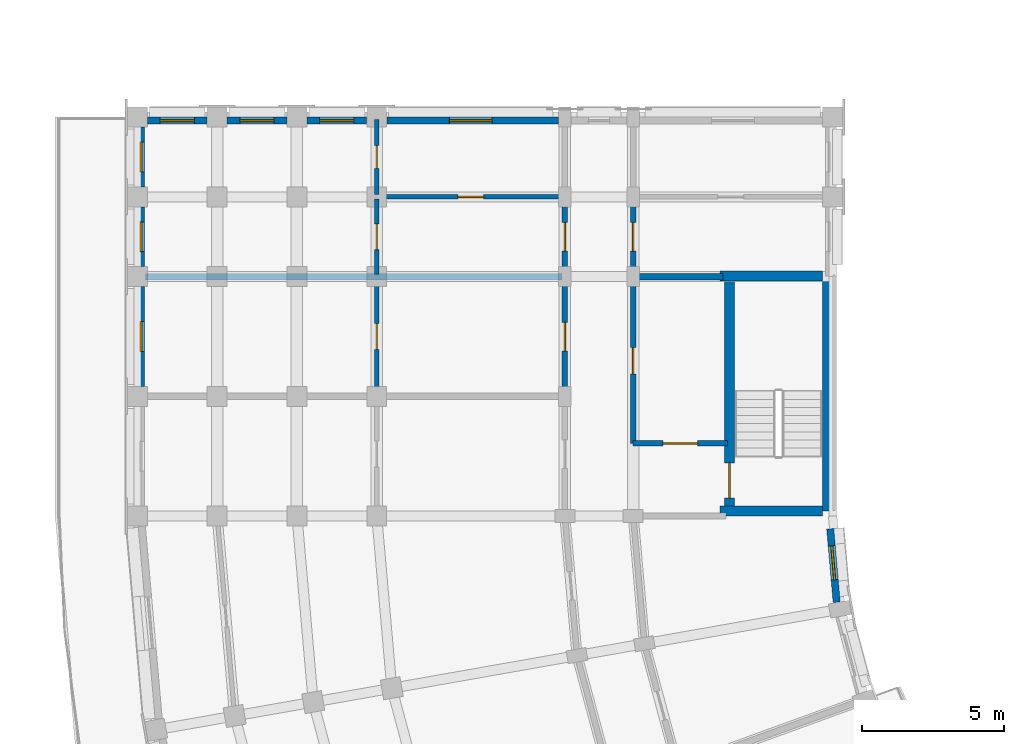
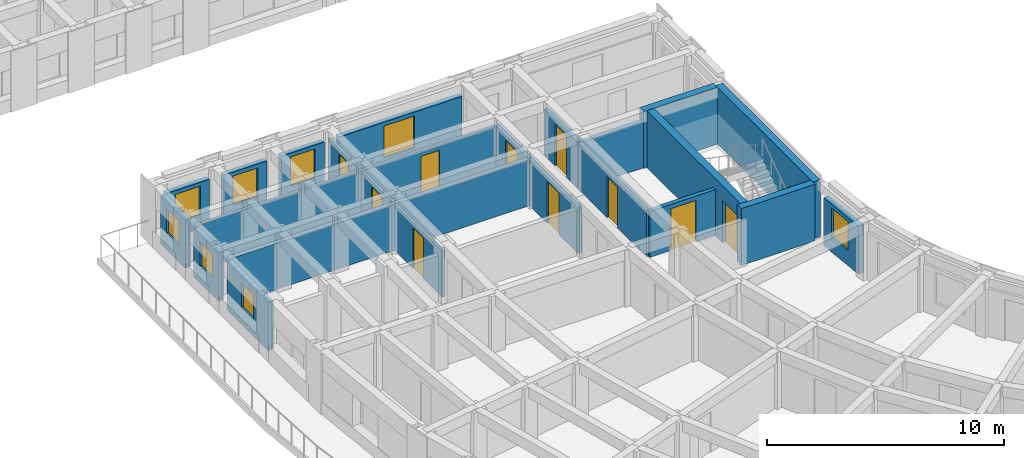
# One storey, part 21 of 57: 23 walls, 10 doors, 8 windows, 18 openings.
"""IFC4 building model written with IfcOpenShell, lengths in metres."""

from ifc_helpers import new_model, si_unit, direction, frame, frame_2d, origin, place, context, subcontext, project, spatial, rectangle, extrude, material, layer, layer_set, type_object, element, fill, save


model = new_model("IFC4")

# Units and contexts
model_context = context("Model", 3, precision=1e-05, world=origin(), true_north=direction((0.0, 1.0)))
body_context = subcontext(model_context, "Body", "Model", "MODEL_VIEW")
ifc_project = project(units=[si_unit("LENGTHUNIT", "METRE"), si_unit("AREAUNIT", "SQUARE_METRE"), si_unit("VOLUMEUNIT", "CUBIC_METRE"), si_unit("PLANEANGLEUNIT", "RADIAN"), si_unit("MASSUNIT", "GRAM", prefix="KILO")], contexts=[model_context])

# Site, building, storey
site_placement = place(None, origin())
site = spatial("IfcSite", under=ifc_project, at=site_placement, CompositionType="ELEMENT")
building_placement = place(site_placement, origin())
building = spatial("IfcBuilding", under=site, at=building_placement, Name="Kiranvali Square Residences", CompositionType="ELEMENT")
storey_placement = place(building_placement, frame((0.0, 0.0, 21.300048828125)))
storey = spatial("IfcBuildingStorey", under=building, at=storey_placement, Name="L06", CompositionType="ELEMENT", Elevation=21.300048828125)

# Wall, opening, door
ifc_material_1 = material(Name="Autoclaved aerated concrete blockwork masonry", Category="masonry")
ifc_layer_1 = layer(ifc_material_1, 0.199951171875)
ifc_layer_set_1 = layer_set([ifc_layer_1], Name="Autoclaved aerated concrete blockwork masonry")
wall_type_1 = type_object("IfcWallType", Name="WL-COR-200", PredefinedType="STANDARD", material=ifc_layer_set_1)
wall_1_placement = place(storey_placement, frame((25.699951171875, 50.75, 0.0), z_axis=(0.0, 0.0, 1.0), x_axis=(-1.0, 0.0, 0.0)))
wall_1 = element("IfcWall", 1, at=wall_1_placement, inside=storey, type_object=wall_type_1, Name="L06 architectural wall WL-L06-C-S3-V", PredefinedType="STANDARD", context=body_context, shape_type="SweptSolid", body=[
    extrude(rectangle(XDim=3.300048828125, YDim=0.199951171875, at=frame_2d((1.64990234375, 0.0))), origin(), (0.0, 0.0, 1.0), 2.3720703125),
])
opening_1_placement = place(wall_1_placement, frame((1.0400390625, 0.0, 0.0)))
opening_1 = element("IfcOpeningElement", 2, at=opening_1_placement, cuts=wall_1, Name="Opening FD-COR-60", PredefinedType="OPENING", context=body_context, shape_type="SweptSolid", body=[
    extrude(rectangle(XDim=1.219970703125, YDim=2.14990234375, at=frame_2d((0.60986328125, 1.074951171875))), frame((0.0, 0.10986328125, 0.0), z_axis=(0.0, -1.0, 0.0), x_axis=(1.0, 0.0, 0.0)), (0.0, 0.0, 1.0), 0.219970703125),
])
ifc_material_2 = material(Name="Fire-rated acoustic hardwood and mineral-core door assembly", Category="wood")
door_type_1 = type_object("IfcDoorType", Name="DR-FD60-1200", OperationType="NOTDEFINED", PredefinedType="DOOR", material=ifc_material_2)
door_1_placement = place(opening_1_placement, origin())
door_1 = element("IfcDoor", 3, at=door_1_placement, inside=storey, type_object=door_type_1, Name="L06 door DR-L06-2093 (DR-FD60-1200)", OperationType="SINGLE_SWING_LEFT", OverallHeight=2.14990234375, OverallWidth=1.219970703125, PredefinedType="DOOR", context=body_context, shape_type="SweptSolid", body=[
    extrude(rectangle(XDim=1.219970703125, YDim=2.14990234375, at=frame_2d((0.60986328125, 1.074951171875))), frame((0.0, 0.02490234375, 0.0), z_axis=(0.0, -1.0, 0.0), x_axis=(1.0, 0.0, 0.0)), (0.0, 0.0, 1.0), 0.050048828125),
])
fill(opening_1, door_1)

wall_2_placement = place(storey_placement, frame((22.39990234375, 50.75, 0.0), z_axis=(0.0, 0.0, 1.0), x_axis=(0.0, 1.0, 0.0)))
wall_2 = element("IfcWall", 4, at=wall_2_placement, inside=storey, type_object=wall_type_1, Name="L06 architectural wall WL-L06-C-S3-COR", PredefinedType="STANDARD", context=body_context, shape_type="SweptSolid", body=[
    extrude(rectangle(XDim=5.800048828125, YDim=0.199951171875, at=frame_2d((2.89990234375, 0.0))), origin(), (0.0, 0.0, 1.0), 2.3720703125),
])
opening_2_placement = place(wall_2_placement, frame((2.43994140625, 0.0, 0.0)))
opening_2 = element("IfcOpeningElement", 5, at=opening_2_placement, cuts=wall_2, Name="Opening FD-SVC-120", PredefinedType="OPENING", context=body_context, shape_type="SweptSolid", body=[
    extrude(rectangle(XDim=0.919921875, YDim=2.10009765625, at=frame_2d((0.4599609375, 1.050048828125))), frame((0.0, 0.10986328125, 0.0), z_axis=(0.0, -1.0, 0.0), x_axis=(1.0, 0.0, 0.0)), (0.0, 0.0, 1.0), 0.219970703125),
])
door_type_2 = type_object("IfcDoorType", Name="DR-SVC-900", OperationType="NOTDEFINED", PredefinedType="DOOR", material=ifc_material_2)
door_2_placement = place(opening_2_placement, frame((0.919921875, 0.0, 0.0), z_axis=(0.0, 0.0, 1.0), x_axis=(-1.0, 0.0, 0.0)))
door_2 = element("IfcDoor", 6, at=door_2_placement, inside=storey, type_object=door_type_2, Name="L06 door DR-L06-2094 (DR-SVC-900)", OperationType="SINGLE_SWING_RIGHT", OverallHeight=2.10009765625, OverallWidth=0.919921875, PredefinedType="DOOR", context=body_context, shape_type="SweptSolid", body=[
    extrude(rectangle(XDim=0.919921875, YDim=2.10009765625, at=frame_2d((0.4599609375, 1.050048828125))), frame((0.0, 0.02490234375, 0.0), z_axis=(0.0, -1.0, 0.0), x_axis=(1.0, 0.0, 0.0)), (0.0, 0.0, 1.0), 0.050048828125),
])
fill(opening_2, door_2)

wall_3_placement = place(storey_placement, frame((20.0, 52.39990234375, 0.0), z_axis=(0.0, 0.0, 1.0), x_axis=(0.0, 1.0, 0.0)))
wall_3 = element("IfcWall", 7, at=wall_3_placement, inside=storey, type_object=wall_type_1, Name="L06 architectural wall WL-L06-C-A2CF-C1", PredefinedType="STANDARD", context=body_context, shape_type="SweptSolid", body=[
    extrude(rectangle(XDim=4.2001953125, YDim=0.199951171875, at=frame_2d((2.10009765625, 0.0))), origin(), (0.0, 0.0, 1.0), 2.3720703125),
])
opening_3_placement = place(wall_3_placement, frame((1.60009765625, 0.0, 0.0)))
opening_3 = element("IfcOpeningElement", 8, at=opening_3_placement, cuts=wall_3, Name="Opening FD-APT-60", PredefinedType="OPENING", context=body_context, shape_type="SweptSolid", body=[
    extrude(rectangle(XDim=1.0, YDim=2.14990234375, at=frame_2d((0.5, 1.074951171875))), frame((0.0, 0.10986328125, 0.0), z_axis=(0.0, -1.0, 0.0), x_axis=(1.0, 0.0, 0.0)), (0.0, 0.0, 1.0), 0.219970703125),
])
door_type_3 = type_object("IfcDoorType", Name="DR-APT-1000", OperationType="NOTDEFINED", PredefinedType="DOOR", material=ifc_material_2)
door_3_placement = place(opening_3_placement, frame((1.0, 0.0, 0.0), z_axis=(0.0, 0.0, 1.0), x_axis=(-1.0, 0.0, 0.0)))
door_3 = element("IfcDoor", 9, at=door_3_placement, inside=storey, type_object=door_type_3, Name="L06 door DR-L06-2132 (DR-APT-1000)", OperationType="SINGLE_SWING_RIGHT", OverallHeight=2.14990234375, OverallWidth=1.0, PredefinedType="DOOR", context=body_context, shape_type="SweptSolid", body=[
    extrude(rectangle(XDim=1.0, YDim=2.14990234375, at=frame_2d((0.5, 1.074951171875))), frame((0.0, 0.02490234375, 0.0), z_axis=(0.0, -1.0, 0.0), x_axis=(1.0, 0.0, 0.0)), (0.0, 0.0, 1.0), 0.050048828125),
])
fill(opening_3, door_3)

wall_4_placement = place(storey_placement, frame((22.39990234375, 56.60009765625, 0.0), z_axis=(0.0, 0.0, 1.0), x_axis=(0.0, 1.0, 0.0)))
wall_4 = element("IfcWall", 10, at=wall_4_placement, inside=storey, type_object=wall_type_1, Name="L06 architectural wall WL-L06-C-A2CI-0", PredefinedType="STANDARD", context=body_context, shape_type="SweptSolid", body=[
    extrude(rectangle(XDim=2.7998046875, YDim=0.199951171875, at=frame_2d((1.39990234375, 0.0))), origin(), (0.0, 0.0, 1.0), 2.3720703125),
])
opening_4_placement = place(wall_4_placement, frame((0.89990234375, 0.0, 0.0)))
opening_4 = element("IfcOpeningElement", 11, at=opening_4_placement, cuts=wall_4, Name="Opening FD-APT-60", PredefinedType="OPENING", context=body_context, shape_type="SweptSolid", body=[
    extrude(rectangle(XDim=1.0, YDim=2.14990234375, at=frame_2d((0.5, 1.074951171875))), frame((0.0, 0.10986328125, 0.0), z_axis=(0.0, -1.0, 0.0), x_axis=(1.0, 0.0, 0.0)), (0.0, 0.0, 1.0), 0.219970703125),
])
door_4_placement = place(opening_4_placement, frame((1.0, 0.0, 0.0), z_axis=(0.0, 0.0, 1.0), x_axis=(-1.0, 0.0, 0.0)))
door_4 = element("IfcDoor", 12, at=door_4_placement, inside=storey, type_object=door_type_3, Name="L06 door DR-L06-2134 (DR-APT-1000)", OperationType="SINGLE_SWING_RIGHT", OverallHeight=2.14990234375, OverallWidth=1.0, PredefinedType="DOOR", context=body_context, shape_type="SweptSolid", body=[
    extrude(rectangle(XDim=1.0, YDim=2.14990234375, at=frame_2d((0.5, 1.074951171875))), frame((0.0, 0.02490234375, 0.0), z_axis=(0.0, -1.0, 0.0), x_axis=(1.0, 0.0, 0.0)), (0.0, 0.0, 1.0), 0.050048828125),
])
fill(opening_4, door_4)

wall_5_placement = place(storey_placement, frame((20.0, 56.60009765625, 0.0), z_axis=(0.0, 0.0, 1.0), x_axis=(0.0, 1.0, 0.0)))
wall_5 = element("IfcWall", 13, at=wall_5_placement, inside=storey, type_object=wall_type_1, Name="L06 architectural wall WL-L06-C-A2CO-0", PredefinedType="STANDARD", context=body_context, shape_type="SweptSolid", body=[
    extrude(rectangle(XDim=2.7998046875, YDim=0.199951171875, at=frame_2d((1.39990234375, 0.0))), origin(), (0.0, 0.0, 1.0), 2.3720703125),
])
opening_5_placement = place(wall_5_placement, frame((0.89990234375, 0.0, 0.0)))
opening_5 = element("IfcOpeningElement", 14, at=opening_5_placement, cuts=wall_5, Name="Opening FD-APT-60", PredefinedType="OPENING", context=body_context, shape_type="SweptSolid", body=[
    extrude(rectangle(XDim=1.0, YDim=2.14990234375, at=frame_2d((0.5, 1.074951171875))), frame((0.0, 0.10986328125, 0.0), z_axis=(0.0, -1.0, 0.0), x_axis=(1.0, 0.0, 0.0)), (0.0, 0.0, 1.0), 0.219970703125),
])
door_5_placement = place(opening_5_placement, frame((1.0, 0.0, 0.0), z_axis=(0.0, 0.0, 1.0), x_axis=(-1.0, 0.0, 0.0)))
door_5 = element("IfcDoor", 15, at=door_5_placement, inside=storey, type_object=door_type_3, Name="L06 door DR-L06-2136 (DR-APT-1000)", OperationType="SINGLE_SWING_RIGHT", OverallHeight=2.14990234375, OverallWidth=1.0, PredefinedType="DOOR", context=body_context, shape_type="SweptSolid", body=[
    extrude(rectangle(XDim=1.0, YDim=2.14990234375, at=frame_2d((0.5, 1.074951171875))), frame((0.0, 0.02490234375, 0.0), z_axis=(0.0, -1.0, 0.0), x_axis=(1.0, 0.0, 0.0)), (0.0, 0.0, 1.0), 0.050048828125),
])
fill(opening_5, door_5)

# Walls
ifc_layer_2 = layer(ifc_material_1, 0.219970703125)
ifc_layer_set_2 = layer_set([ifc_layer_2], Name="Autoclaved aerated concrete blockwork masonry")
wall_type_2 = type_object("IfcWallType", Name="WL-DEM-220", PredefinedType="STANDARD", material=ifc_layer_set_2)
wall_6_placement = place(storey_placement, frame((25.550048828125, 56.60009765625, 0.0), z_axis=(0.0, 0.0, 1.0), x_axis=(-1.0, 0.0, 0.0)))
element("IfcWall", 16, at=wall_6_placement, inside=storey, type_object=wall_type_2, Name="L06 architectural wall WL-L06-C-A2TI-0", PredefinedType="STANDARD", context=body_context, shape_type="SweptSolid", body=[
    extrude(rectangle(XDim=3.10009765625, YDim=0.219970703125, at=frame_2d((1.550048828125, 0.0))), origin(), (0.0, 0.0, 1.0), 2.3720703125),
])
wall_7_placement = place(storey_placement, frame((19.89990234375, 56.60009765625, 0.0), z_axis=(0.0, 0.0, 1.0), x_axis=(-1.0, 0.0, 0.0)))
element("IfcWall", 17, at=wall_7_placement, inside=storey, type_object=wall_type_2, Name="L06 architectural wall WL-L06-C-A2TO-0", PredefinedType="STANDARD", context=body_context, shape_type="SweptSolid", body=[
    extrude(rectangle(XDim=14.619873046875, YDim=0.219970703125, at=frame_2d((7.31005859375, 0.0))), origin(), (0.0, 0.0, 1.0), 2.3720703125),
])

# Wall, opening, window
ifc_material_3 = material(Name="Breathable lime-rendered clay brick masonry", Category="masonry")
ifc_layer_3 = layer(ifc_material_3, 0.25)
ifc_layer_set_3 = layer_set([ifc_layer_3], Name="Breathable lime-rendered clay brick masonry")
wall_type_3 = type_object("IfcWallType", Name="WL-EXT-250", PredefinedType="STANDARD", material=ifc_layer_set_3)
wall_8_placement = place(storey_placement, frame((29.5390625, 45.17724609375, 0.0), z_axis=(0.0, 0.0, 1.0), x_axis=(-0.087229084652, 0.996188278786, 0.0)))
wall_8 = element("IfcWall", 18, at=wall_8_placement, inside=storey, type_object=wall_type_3, Name="L06 exterior wall C-L06-GDN-08", PredefinedType="STANDARD", context=body_context, shape_type="SweptSolid", body=[
    extrude(rectangle(XDim=2.583251953125, YDim=0.25, at=frame_2d((1.29150390625, 0.0))), origin(), (0.0, 0.0, 1.0), 2.471923828125),
])
opening_6_placement = place(wall_8_placement, frame((0.784912109375, 0.0, 0.77197265625)))
opening_6 = element("IfcOpeningElement", 19, at=opening_6_placement, cuts=wall_8, Name="Opening W-06", PredefinedType="OPENING", context=body_context, shape_type="SweptSolid", body=[
    extrude(rectangle(XDim=1.199951171875, YDim=1.5, at=frame_2d((0.60009765625, 0.75))), frame((0.0, 0.135009765625, 0.0), z_axis=(0.0, -1.0, 0.0), x_axis=(1.0, 0.0, 0.0)), (0.0, 0.0, 1.0), 0.27001953125),
])
ifc_material_4 = material(Name="Solar-control low-e double glazing", Category="glass")
window_type_1 = type_object("IfcWindowType", Name="WIN-RES-1200x1500", PartitioningType="SINGLE_PANEL", PredefinedType="WINDOW", material=ifc_material_4)
window_1_placement = place(opening_6_placement, origin())
window_1 = element("IfcWindow", 20, at=window_1_placement, inside=storey, type_object=window_type_1, Name="L06 recessed window C-L06-GDN-08", OverallHeight=1.5, OverallWidth=1.199951171875, PartitioningType="SINGLE_PANEL", PredefinedType="WINDOW", context=body_context, shape_type="SweptSolid", body=[
    extrude(rectangle(XDim=1.199951171875, YDim=1.5, at=frame_2d((0.60009765625, 0.75))), frame((0.0, 0.030029296875, 0.0), z_axis=(0.0, -1.0, 0.0), x_axis=(1.0, 0.0, 0.0)), (0.0, 0.0, 1.0), 0.06005859375),
])
fill(opening_6, window_1)

wall_9_placement = place(storey_placement, frame((5.125, 52.75341796875, 0.0), z_axis=(0.0, 0.0, 1.0), x_axis=(0.0, 1.0, 0.0)))
wall_9 = element("IfcWall", 21, at=wall_9_placement, inside=storey, type_object=wall_type_3, Name="L06 exterior wall C-L06-A2O-1", PredefinedType="STANDARD", context=body_context, shape_type="SweptSolid", body=[
    extrude(rectangle(XDim=3.4931640625, YDim=0.25, at=frame_2d((1.74658203125, 0.0))), origin(), (0.0, 0.0, 1.0), 2.47998046875),
])
opening_7_placement = place(wall_9_placement, frame((1.221435546875, 0.0, 0.8798828125)))
opening_7 = element("IfcOpeningElement", 22, at=opening_7_placement, cuts=wall_9, Name="Opening W-24", PredefinedType="OPENING", context=body_context, shape_type="SweptSolid", body=[
    extrude(rectangle(XDim=1.050048828125, YDim=1.25, at=frame_2d((0.52490234375, 0.625))), frame((0.0, 0.135009765625, 0.0), z_axis=(0.0, -1.0, 0.0), x_axis=(1.0, 0.0, 0.0)), (0.0, 0.0, 1.0), 0.27001953125),
])
window_type_2 = type_object("IfcWindowType", Name="WIN-COR-1050x1250", PartitioningType="SINGLE_PANEL", PredefinedType="WINDOW", material=ifc_material_4)
window_2_placement = place(opening_7_placement, origin())
window_2 = element("IfcWindow", 23, at=window_2_placement, inside=storey, type_object=window_type_2, Name="L06 recessed window C-L06-A2O-1", OverallHeight=1.25, OverallWidth=1.050048828125, PartitioningType="SINGLE_PANEL", PredefinedType="WINDOW", context=body_context, shape_type="SweptSolid", body=[
    extrude(rectangle(XDim=1.050048828125, YDim=1.25, at=frame_2d((0.52490234375, 0.625))), frame((0.0, 0.030029296875, 0.0), z_axis=(0.0, -1.0, 0.0), x_axis=(1.0, 0.0, 0.0)), (0.0, 0.0, 1.0), 0.06005859375),
])
fill(opening_7, window_2)

wall_10_placement = place(storey_placement, frame((5.125, 56.95361328125, 0.0), z_axis=(0.0, 0.0, 1.0), x_axis=(0.0, 1.0, 0.0)))
wall_10 = element("IfcWall", 24, at=wall_10_placement, inside=storey, type_object=wall_type_3, Name="L06 exterior wall C-L06-A2O-2", PredefinedType="STANDARD", context=body_context, shape_type="SweptSolid", body=[
    extrude(rectangle(XDim=2.0927734375, YDim=0.25, at=frame_2d((1.04638671875, 0.0))), origin(), (0.0, 0.0, 1.0), 2.47998046875),
])
opening_8_placement = place(wall_10_placement, frame((0.521484375, 0.0, 0.8798828125)))
opening_8 = element("IfcOpeningElement", 25, at=opening_8_placement, cuts=wall_10, Name="Opening W-24", PredefinedType="OPENING", context=body_context, shape_type="SweptSolid", body=[
    extrude(rectangle(XDim=1.050048828125, YDim=1.25, at=frame_2d((0.52490234375, 0.625))), frame((0.0, 0.135009765625, 0.0), z_axis=(0.0, -1.0, 0.0), x_axis=(1.0, 0.0, 0.0)), (0.0, 0.0, 1.0), 0.27001953125),
])
window_3_placement = place(opening_8_placement, origin())
window_3 = element("IfcWindow", 26, at=window_3_placement, inside=storey, type_object=window_type_2, Name="L06 recessed window C-L06-A2O-2", OverallHeight=1.25, OverallWidth=1.050048828125, PartitioningType="SINGLE_PANEL", PredefinedType="WINDOW", context=body_context, shape_type="SweptSolid", body=[
    extrude(rectangle(XDim=1.050048828125, YDim=1.25, at=frame_2d((0.52490234375, 0.625))), frame((0.0, 0.030029296875, 0.0), z_axis=(0.0, -1.0, 0.0), x_axis=(1.0, 0.0, 0.0)), (0.0, 0.0, 1.0), 0.06005859375),
])
fill(opening_8, window_3)

wall_11_placement = place(storey_placement, frame((5.125, 59.75341796875, 0.0), z_axis=(0.0, 0.0, 1.0), x_axis=(0.0, 1.0, 0.0)))
wall_11 = element("IfcWall", 27, at=wall_11_placement, inside=storey, type_object=wall_type_3, Name="L06 exterior wall C-L06-A2O-3", PredefinedType="STANDARD", context=body_context, shape_type="SweptSolid", body=[
    extrude(rectangle(XDim=2.093017578125, YDim=0.25, at=frame_2d((1.04638671875, 0.0))), origin(), (0.0, 0.0, 1.0), 2.47998046875),
])
opening_9_placement = place(wall_11_placement, frame((0.521484375, 0.0, 0.8798828125)))
opening_9 = element("IfcOpeningElement", 28, at=opening_9_placement, cuts=wall_11, Name="Opening W-24", PredefinedType="OPENING", context=body_context, shape_type="SweptSolid", body=[
    extrude(rectangle(XDim=1.050048828125, YDim=1.25, at=frame_2d((0.52490234375, 0.625))), frame((0.0, 0.135009765625, 0.0), z_axis=(0.0, -1.0, 0.0), x_axis=(1.0, 0.0, 0.0)), (0.0, 0.0, 1.0), 0.27001953125),
])
window_4_placement = place(opening_9_placement, origin())
window_4 = element("IfcWindow", 29, at=window_4_placement, inside=storey, type_object=window_type_2, Name="L06 recessed window C-L06-A2O-3", OverallHeight=1.25, OverallWidth=1.050048828125, PartitioningType="SINGLE_PANEL", PredefinedType="WINDOW", context=body_context, shape_type="SweptSolid", body=[
    extrude(rectangle(XDim=1.050048828125, YDim=1.25, at=frame_2d((0.52490234375, 0.625))), frame((0.0, 0.030029296875, 0.0), z_axis=(0.0, -1.0, 0.0), x_axis=(1.0, 0.0, 0.0)), (0.0, 0.0, 1.0), 0.06005859375),
])
fill(opening_9, window_4)

wall_12_placement = place(storey_placement, frame((19.771484375, 62.074951171875, 0.0), z_axis=(0.0, 0.0, 1.0), x_axis=(-1.0, 0.0, 0.0)))
wall_12 = element("IfcWall", 30, at=wall_12_placement, inside=storey, type_object=wall_type_3, Name="L06 exterior wall C-L06-A2END-2", PredefinedType="STANDARD", context=body_context, shape_type="SweptSolid", body=[
    extrude(rectangle(XDim=6.01806640625, YDim=0.25, at=frame_2d((3.009033203125, 0.0))), origin(), (0.0, 0.0, 1.0), 2.3720703125),
])
opening_10_placement = place(wall_12_placement, frame((2.321533203125, 0.0, 0.52197265625)))
opening_10 = element("IfcOpeningElement", 31, at=opening_10_placement, cuts=wall_12, Name="Opening W-05", PredefinedType="OPENING", context=body_context, shape_type="SweptSolid", body=[
    extrude(rectangle(XDim=1.5, YDim=1.64990234375, at=frame_2d((0.75, 0.824951171875))), frame((0.0, 0.135009765625, 0.0), z_axis=(0.0, -1.0, 0.0), x_axis=(1.0, 0.0, 0.0)), (0.0, 0.0, 1.0), 0.27001953125),
])
window_type_3 = type_object("IfcWindowType", Name="WIN-RES-1500x1650", PartitioningType="DOUBLE_PANEL_VERTICAL", PredefinedType="WINDOW", material=ifc_material_4)
window_5_placement = place(opening_10_placement, origin())
window_5 = element("IfcWindow", 32, at=window_5_placement, inside=storey, type_object=window_type_3, Name="L06 recessed window C-L06-A2END-2", OverallHeight=1.64990234375, OverallWidth=1.5, PartitioningType="DOUBLE_PANEL_VERTICAL", PredefinedType="WINDOW", context=body_context, shape_type="SweptSolid", body=[
    extrude(rectangle(XDim=1.5, YDim=1.64990234375, at=frame_2d((0.75, 0.824951171875))), frame((0.0, 0.030029296875, 0.0), z_axis=(0.0, -1.0, 0.0), x_axis=(1.0, 0.0, 0.0)), (0.0, 0.0, 1.0), 0.06005859375),
])
fill(opening_10, window_5)

wall_13_placement = place(storey_placement, frame((13.04638671875, 62.074951171875, 0.0), z_axis=(0.0, 0.0, 1.0), x_axis=(-1.0, 0.0, 0.0)))
wall_13 = element("IfcWall", 33, at=wall_13_placement, inside=storey, type_object=wall_type_3, Name="L06 exterior wall C-L06-A2END-3", PredefinedType="STANDARD", context=body_context, shape_type="SweptSolid", body=[
    extrude(rectangle(XDim=2.0927734375, YDim=0.25, at=frame_2d((1.04638671875, 0.0))), origin(), (0.0, 0.0, 1.0), 2.3720703125),
])
opening_11_placement = place(wall_13_placement, frame((0.446533203125, 0.0, 0.672119140625)))
opening_11 = element("IfcOpeningElement", 34, at=opening_11_placement, cuts=wall_13, Name="Opening W-06", PredefinedType="OPENING", context=body_context, shape_type="SweptSolid", body=[
    extrude(rectangle(XDim=1.199951171875, YDim=1.5, at=frame_2d((0.60009765625, 0.75))), frame((0.0, 0.135009765625, 0.0), z_axis=(0.0, -1.0, 0.0), x_axis=(1.0, 0.0, 0.0)), (0.0, 0.0, 1.0), 0.27001953125),
])
window_6_placement = place(opening_11_placement, origin())
window_6 = element("IfcWindow", 35, at=window_6_placement, inside=storey, type_object=window_type_1, Name="L06 recessed window C-L06-A2END-3", OverallHeight=1.5, OverallWidth=1.199951171875, PartitioningType="SINGLE_PANEL", PredefinedType="WINDOW", context=body_context, shape_type="SweptSolid", body=[
    extrude(rectangle(XDim=1.199951171875, YDim=1.5, at=frame_2d((0.60009765625, 0.75))), frame((0.0, 0.030029296875, 0.0), z_axis=(0.0, -1.0, 0.0), x_axis=(1.0, 0.0, 0.0)), (0.0, 0.0, 1.0), 0.06005859375),
])
fill(opening_11, window_6)

wall_14_placement = place(storey_placement, frame((10.24658203125, 62.074951171875, 0.0), z_axis=(0.0, 0.0, 1.0), x_axis=(-1.0, 0.0, 0.0)))
wall_14 = element("IfcWall", 36, at=wall_14_placement, inside=storey, type_object=wall_type_3, Name="L06 exterior wall C-L06-A2END-4", PredefinedType="STANDARD", context=body_context, shape_type="SweptSolid", body=[
    extrude(rectangle(XDim=2.093017578125, YDim=0.25, at=frame_2d((1.04638671875, 0.0))), origin(), (0.0, 0.0, 1.0), 2.3720703125),
])
opening_12_placement = place(wall_14_placement, frame((0.446533203125, 0.0, 0.672119140625)))
opening_12 = element("IfcOpeningElement", 37, at=opening_12_placement, cuts=wall_14, Name="Opening W-06", PredefinedType="OPENING", context=body_context, shape_type="SweptSolid", body=[
    extrude(rectangle(XDim=1.199951171875, YDim=1.5, at=frame_2d((0.60009765625, 0.75))), frame((0.0, 0.135009765625, 0.0), z_axis=(0.0, -1.0, 0.0), x_axis=(1.0, 0.0, 0.0)), (0.0, 0.0, 1.0), 0.27001953125),
])
window_7_placement = place(opening_12_placement, origin())
window_7 = element("IfcWindow", 38, at=window_7_placement, inside=storey, type_object=window_type_1, Name="L06 recessed window C-L06-A2END-4", OverallHeight=1.5, OverallWidth=1.199951171875, PartitioningType="SINGLE_PANEL", PredefinedType="WINDOW", context=body_context, shape_type="SweptSolid", body=[
    extrude(rectangle(XDim=1.199951171875, YDim=1.5, at=frame_2d((0.60009765625, 0.75))), frame((0.0, 0.030029296875, 0.0), z_axis=(0.0, -1.0, 0.0), x_axis=(1.0, 0.0, 0.0)), (0.0, 0.0, 1.0), 0.06005859375),
])
fill(opening_12, window_7)

wall_15_placement = place(storey_placement, frame((7.446533203125, 62.074951171875, 0.0), z_axis=(0.0, 0.0, 1.0), x_axis=(-1.0, 0.0, 0.0)))
wall_15 = element("IfcWall", 39, at=wall_15_placement, inside=storey, type_object=wall_type_3, Name="L06 exterior wall C-L06-A2END-5", PredefinedType="STANDARD", context=body_context, shape_type="SweptSolid", body=[
    extrude(rectangle(XDim=2.093017578125, YDim=0.25, at=frame_2d((1.04638671875, 0.0))), origin(), (0.0, 0.0, 1.0), 2.411865234375),
])
opening_13_placement = place(wall_15_placement, frame((0.446533203125, 0.0, 0.7119140625)))
opening_13 = element("IfcOpeningElement", 40, at=opening_13_placement, cuts=wall_15, Name="Opening W-06", PredefinedType="OPENING", context=body_context, shape_type="SweptSolid", body=[
    extrude(rectangle(XDim=1.199951171875, YDim=1.5, at=frame_2d((0.60009765625, 0.75))), frame((0.0, 0.135009765625, 0.0), z_axis=(0.0, -1.0, 0.0), x_axis=(1.0, 0.0, 0.0)), (0.0, 0.0, 1.0), 0.27001953125),
])
window_8_placement = place(opening_13_placement, origin())
window_8 = element("IfcWindow", 41, at=window_8_placement, inside=storey, type_object=window_type_1, Name="L06 recessed window C-L06-A2END-5", OverallHeight=1.5, OverallWidth=1.199951171875, PartitioningType="SINGLE_PANEL", PredefinedType="WINDOW", context=body_context, shape_type="SweptSolid", body=[
    extrude(rectangle(XDim=1.199951171875, YDim=1.5, at=frame_2d((0.60009765625, 0.75))), frame((0.0, 0.030029296875, 0.0), z_axis=(0.0, -1.0, 0.0), x_axis=(1.0, 0.0, 0.0)), (0.0, 0.0, 1.0), 0.06005859375),
])
fill(opening_13, window_8)

# Wall, opening, door
ifc_material_5 = material(Name="Acoustic gypsum board drylined partition", Category="gypsum")
ifc_layer_4 = layer(ifc_material_5, 0.14990234375)
ifc_layer_set_4 = layer_set([ifc_layer_4], Name="Acoustic gypsum board drylined partition")
wall_type_4 = type_object("IfcWallType", Name="WL-PRT-150", PredefinedType="PARTITIONING", material=ifc_layer_set_4)
wall_16_placement = place(storey_placement, frame((13.39990234375, 52.47998046875, 0.0), z_axis=(0.0, 0.0, 1.0), x_axis=(0.0, 1.0, 0.0)))
wall_16 = element("IfcWall", 42, at=wall_16_placement, inside=storey, type_object=wall_type_4, Name="L06 architectural wall WL-L06-C-A2CF-SP1", PredefinedType="PARTITIONING", context=body_context, shape_type="SweptSolid", body=[
    extrude(rectangle(XDim=4.0400390625, YDim=0.14990234375, at=frame_2d((2.02001953125, 0.0))), origin(), (0.0, 0.0, 1.0), 2.3720703125),
])
opening_14_placement = place(wall_16_placement, frame((1.570068359375, 0.0, 0.0)))
opening_14 = element("IfcOpeningElement", 43, at=opening_14_placement, cuts=wall_16, Name="Opening ID-1", PredefinedType="OPENING", context=body_context, shape_type="SweptSolid", body=[
    extrude(rectangle(XDim=0.89990234375, YDim=2.10009765625, at=frame_2d((0.449951171875, 1.050048828125))), frame((0.0, 0.0849609375, 0.0), z_axis=(0.0, -1.0, 0.0), x_axis=(1.0, 0.0, 0.0)), (0.0, 0.0, 1.0), 0.169921875),
])
ifc_material_6 = material(Name="Solid seasoned teak hardwood joinery", Category="wood")
door_type_4 = type_object("IfcDoorType", Name="DR-INT-900", OperationType="NOTDEFINED", PredefinedType="DOOR", material=ifc_material_6)
door_6_placement = place(opening_14_placement, origin())
door_6 = element("IfcDoor", 44, at=door_6_placement, inside=storey, type_object=door_type_4, Name="L06 door DR-L06-2133 (DR-INT-900)", OperationType="SINGLE_SWING_LEFT", OverallHeight=2.10009765625, OverallWidth=0.89990234375, PredefinedType="DOOR", context=body_context, shape_type="SweptSolid", body=[
    extrude(rectangle(XDim=0.89990234375, YDim=2.10009765625, at=frame_2d((0.449951171875, 1.050048828125))), frame((0.0, 0.02490234375, 0.0), z_axis=(0.0, -1.0, 0.0), x_axis=(1.0, 0.0, 0.0)), (0.0, 0.0, 1.0), 0.050048828125),
])
fill(opening_14, door_6)

wall_17_placement = place(storey_placement, frame((19.89990234375, 59.39990234375, 0.0), z_axis=(0.0, 0.0, 1.0), x_axis=(-1.0, 0.0, 0.0)))
wall_17 = element("IfcWall", 45, at=wall_17_placement, inside=storey, type_object=wall_type_4, Name="L06 architectural wall WL-L06-C-A2TO-1", PredefinedType="PARTITIONING", context=body_context, shape_type="SweptSolid", body=[
    extrude(rectangle(XDim=14.619873046875, YDim=0.14990234375, at=frame_2d((7.31005859375, 0.0))), origin(), (0.0, 0.0, 1.0), 2.3720703125),
])
opening_15_placement = place(wall_17_placement, frame((2.750244140625, 0.0, 0.0)))
opening_15 = element("IfcOpeningElement", 46, at=opening_15_placement, cuts=wall_17, Name="Opening ID-1", PredefinedType="OPENING", context=body_context, shape_type="SweptSolid", body=[
    extrude(rectangle(XDim=0.89990234375, YDim=2.10009765625, at=frame_2d((0.449951171875, 1.050048828125))), frame((0.0, 0.0849609375, 0.0), z_axis=(0.0, -1.0, 0.0), x_axis=(1.0, 0.0, 0.0)), (0.0, 0.0, 1.0), 0.169921875),
])
door_7_placement = place(opening_15_placement, origin())
door_7 = element("IfcDoor", 47, at=door_7_placement, inside=storey, type_object=door_type_4, Name="L06 door DR-L06-2139 (DR-INT-900)", OperationType="SINGLE_SWING_LEFT", OverallHeight=2.10009765625, OverallWidth=0.89990234375, PredefinedType="DOOR", context=body_context, shape_type="SweptSolid", body=[
    extrude(rectangle(XDim=0.89990234375, YDim=2.10009765625, at=frame_2d((0.449951171875, 1.050048828125))), frame((0.0, 0.02490234375, 0.0), z_axis=(0.0, -1.0, 0.0), x_axis=(1.0, 0.0, 0.0)), (0.0, 0.0, 1.0), 0.050048828125),
])
fill(opening_15, door_7)

# Wall
ifc_material_7 = material(Name="Concrete M45 (45 MPa)", Category="concrete")
ifc_layer_5 = layer(ifc_material_7, 0.320068359375)
ifc_layer_set_5 = layer_set([ifc_layer_5], Name="Concrete M45 (45 MPa)")
wall_type_5 = type_object("IfcWallType", Name="WL-SHR-320", PredefinedType="SHEAR", material=ifc_layer_set_5)
wall_18_placement = place(storey_placement, frame((29.22509765625, 48.375, 0.0), z_axis=(0.0, 0.0, 1.0), x_axis=(0.0, 1.0, 0.0)))
element("IfcWall", 48, at=wall_18_placement, inside=storey, type_object=wall_type_5, Name="Block C core shear wall SW-C3-OUT-L06", PredefinedType="SHEAR", context=body_context, shape_type="SweptSolid", body=[
    extrude(rectangle(XDim=8.25, YDim=0.35009765625, at=frame_2d((4.125, 0.0))), origin(), (0.0, 0.0, 1.0), 2.929931640625),
])

# Wall, opening, door
wall_19_placement = place(storey_placement, frame((25.77490234375, 48.550048828125, 0.0), z_axis=(0.0, 0.0, 1.0), x_axis=(0.0, 1.0, 0.0)))
wall_19 = element("IfcWall", 49, at=wall_19_placement, inside=storey, type_object=wall_type_5, Name="Block C core shear wall SW-C3-IN-L06", PredefinedType="SHEAR", context=body_context, shape_type="SweptSolid", body=[
    extrude(rectangle(XDim=7.89990234375, YDim=0.35009765625, at=frame_2d((3.949951171875, 0.0))), origin(), (0.0, 0.0, 1.0), 2.929931640625),
])
opening_16_placement = place(wall_19_placement, frame((0.280029296875, 0.0, 0.0)))
opening_16 = element("IfcOpeningElement", 50, at=opening_16_placement, cuts=wall_19, Name="Opening FD-ST-120", PredefinedType="OPENING", context=body_context, shape_type="SweptSolid", body=[
    extrude(rectangle(XDim=1.239990234375, YDim=2.14990234375, at=frame_2d((0.6201171875, 1.074951171875))), frame((0.0, 0.18505859375, 0.0), z_axis=(0.0, -1.0, 0.0), x_axis=(1.0, 0.0, 0.0)), (0.0, 0.0, 1.0), 0.3701171875),
])
door_type_5 = type_object("IfcDoorType", Name="DR-FD120-1200", OperationType="NOTDEFINED", PredefinedType="DOOR", material=ifc_material_2)
door_8_placement = place(opening_16_placement, frame((1.239990234375, 0.0, 0.0), z_axis=(0.0, 0.0, 1.0), x_axis=(-1.0, 0.0, 0.0)))
door_8 = element("IfcDoor", 51, at=door_8_placement, inside=storey, type_object=door_type_5, Name="L06 door DR-L06-2089 (DR-FD120-1200)", OperationType="SINGLE_SWING_LEFT", OverallHeight=2.14990234375, OverallWidth=1.239990234375, PredefinedType="DOOR", context=body_context, shape_type="SweptSolid", body=[
    extrude(rectangle(XDim=1.239990234375, YDim=2.14990234375, at=frame_2d((0.6201171875, 1.074951171875))), frame((0.0, 0.02490234375, 0.0), z_axis=(0.0, -1.0, 0.0), x_axis=(1.0, 0.0, 0.0)), (0.0, 0.0, 1.0), 0.050048828125),
])
fill(opening_16, door_8)

# Walls
for number, where, z_axis, x_axis, name in (
    (52, (29.050048828125, 48.375, 0.0), (0.0, 0.0, 1.0), (-1.0, 0.0, 0.0), "Block C core shear wall SW-C3-NEAR-L06"),
    (53, (29.050048828125, 56.625, 0.0), (0.0, 0.0, 1.0), (-1.0, 0.0, 0.0), "Block C core shear wall SW-C3-FAR-L06"),
):
    element("IfcWall", number, at=place(storey_placement, frame(where, z_axis=z_axis, x_axis=x_axis)), inside=storey, type_object=wall_type_5, Name=name, PredefinedType="SHEAR", context=body_context, shape_type="SweptSolid", body=[
        extrude(rectangle(XDim=3.60009765625, YDim=0.35009765625, at=frame_2d((1.800048828125, 0.0))), origin(), (0.0, 0.0, 1.0), 2.929931640625),
    ])

# Wall, opening, door
ifc_layer_6 = layer(ifc_material_1, 0.14990234375)
ifc_layer_set_6 = layer_set([ifc_layer_6], Name="Autoclaved aerated concrete blockwork masonry")
wall_type_6 = type_object("IfcWallType", Name="WL-WET-150", PredefinedType="PLUMBINGWALL", material=ifc_layer_set_6)
wall_20_placement = place(storey_placement, frame((13.39990234375, 56.679931640625, 0.0), z_axis=(0.0, 0.0, 1.0), x_axis=(0.0, 1.0, 0.0)))
wall_20 = element("IfcWall", 54, at=wall_20_placement, inside=storey, type_object=wall_type_6, Name="L06 architectural wall WL-L06-C-A2SP-0", PredefinedType="PLUMBINGWALL", context=body_context, shape_type="SweptSolid", body=[
    extrude(rectangle(XDim=2.64013671875, YDim=0.14990234375, at=frame_2d((1.320068359375, 0.0))), origin(), (0.0, 0.0, 1.0), 2.3720703125),
])
opening_17_placement = place(wall_20_placement, frame((0.8701171875, 0.0, 0.0)))
opening_17 = element("IfcOpeningElement", 55, at=opening_17_placement, cuts=wall_20, Name="Opening ID-1", PredefinedType="OPENING", context=body_context, shape_type="SweptSolid", body=[
    extrude(rectangle(XDim=0.89990234375, YDim=2.10009765625, at=frame_2d((0.449951171875, 1.050048828125))), frame((0.0, 0.0849609375, 0.0), z_axis=(0.0, -1.0, 0.0), x_axis=(1.0, 0.0, 0.0)), (0.0, 0.0, 1.0), 0.169921875),
])
door_9_placement = place(opening_17_placement, origin())
door_9 = element("IfcDoor", 56, at=door_9_placement, inside=storey, type_object=door_type_4, Name="L06 door DR-L06-2135 (DR-INT-900)", OperationType="SINGLE_SWING_LEFT", OverallHeight=2.10009765625, OverallWidth=0.89990234375, PredefinedType="DOOR", context=body_context, shape_type="SweptSolid", body=[
    extrude(rectangle(XDim=0.89990234375, YDim=2.10009765625, at=frame_2d((0.449951171875, 1.050048828125))), frame((0.0, 0.02490234375, 0.0), z_axis=(0.0, -1.0, 0.0), x_axis=(1.0, 0.0, 0.0)), (0.0, 0.0, 1.0), 0.050048828125),
])
fill(opening_17, door_9)

wall_21_placement = place(storey_placement, frame((13.39990234375, 59.47998046875, 0.0), z_axis=(0.0, 0.0, 1.0), x_axis=(0.0, 1.0, 0.0)))
wall_21 = element("IfcWall", 57, at=wall_21_placement, inside=storey, type_object=wall_type_6, Name="L06 architectural wall WL-L06-C-A2SP-1", PredefinedType="PLUMBINGWALL", context=body_context, shape_type="SweptSolid", body=[
    extrude(rectangle(XDim=2.64013671875, YDim=0.14990234375, at=frame_2d((1.320068359375, 0.0))), origin(), (0.0, 0.0, 1.0), 2.3720703125),
])
opening_18_placement = place(wall_21_placement, frame((0.919921875, 0.0, 0.0)))
opening_18 = element("IfcOpeningElement", 58, at=opening_18_placement, cuts=wall_21, Name="Opening ID-WET", PredefinedType="OPENING", context=body_context, shape_type="SweptSolid", body=[
    extrude(rectangle(XDim=0.800048828125, YDim=2.10009765625, at=frame_2d((0.39990234375, 1.050048828125))), frame((0.0, 0.0849609375, 0.0), z_axis=(0.0, -1.0, 0.0), x_axis=(1.0, 0.0, 0.0)), (0.0, 0.0, 1.0), 0.169921875),
])
door_type_6 = type_object("IfcDoorType", Name="DR-WET-800", OperationType="NOTDEFINED", PredefinedType="DOOR", material=ifc_material_6)
door_10_placement = place(opening_18_placement, origin())
door_10 = element("IfcDoor", 59, at=door_10_placement, inside=storey, type_object=door_type_6, Name="L06 door DR-L06-2137 (DR-WET-800)", OperationType="SINGLE_SWING_LEFT", OverallHeight=2.10009765625, OverallWidth=0.800048828125, PredefinedType="DOOR", context=body_context, shape_type="SweptSolid", body=[
    extrude(rectangle(XDim=0.800048828125, YDim=2.10009765625, at=frame_2d((0.39990234375, 1.050048828125))), frame((0.0, 0.02490234375, 0.0), z_axis=(0.0, -1.0, 0.0), x_axis=(1.0, 0.0, 0.0)), (0.0, 0.0, 1.0), 0.050048828125),
])
fill(opening_18, door_10)

save(model, "model.ifc")
